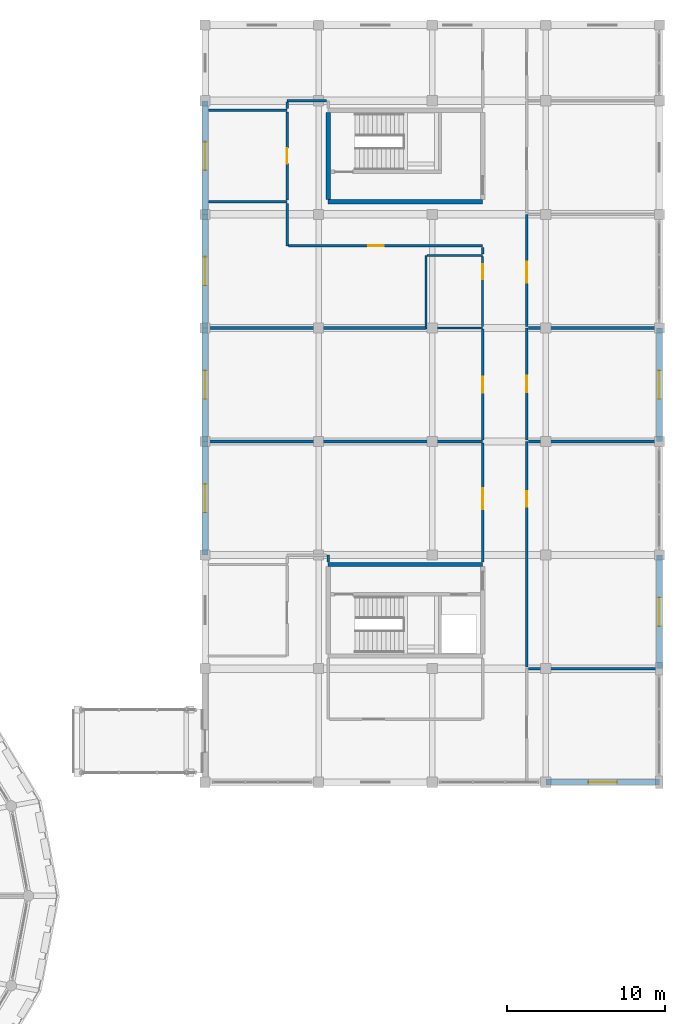
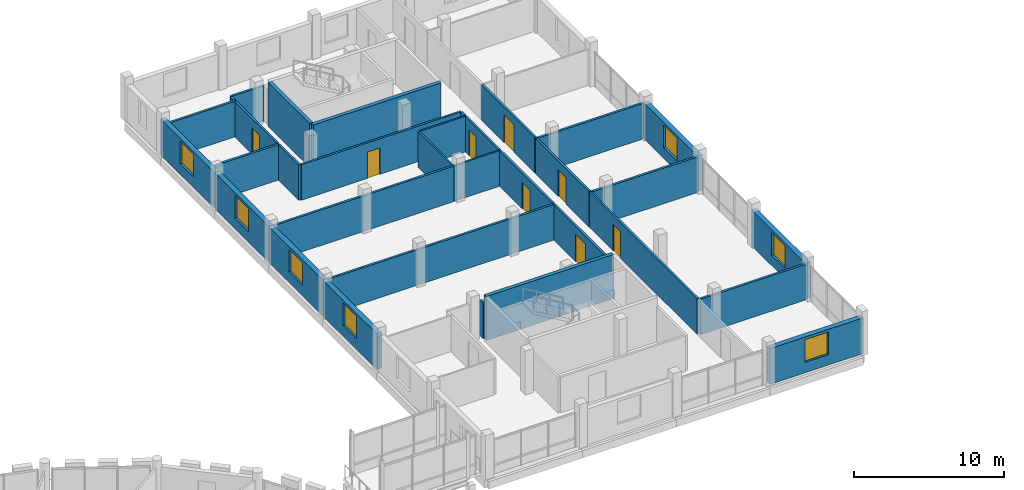
# One storey, part 118 of 128: 33 walls, 8 doors, 7 windows, 15 openings.
"""IFC4 building model written with IfcOpenShell, lengths in metres."""

from ifc_helpers import new_model, si_unit, direction, frame, frame_2d, origin, place, context, subcontext, project, spatial, rectangle, extrude, material, layer, layer_set, type_object, element, fill, save


model = new_model("IFC4")

# Units and contexts
model_context = context("Model", 3, precision=1e-05, world=origin(), true_north=direction((0.0, 1.0)))
body_context = subcontext(model_context, "Body", "Model", "MODEL_VIEW")
ifc_project = project(units=[si_unit("LENGTHUNIT", "METRE"), si_unit("AREAUNIT", "SQUARE_METRE"), si_unit("VOLUMEUNIT", "CUBIC_METRE"), si_unit("PLANEANGLEUNIT", "RADIAN"), si_unit("MASSUNIT", "GRAM", prefix="KILO")], contexts=[model_context])

# Site, building, storey
site_placement = place(None, origin())
site = spatial("IfcSite", under=ifc_project, at=site_placement, CompositionType="ELEMENT")
building_placement = place(site_placement, origin())
building = spatial("IfcBuilding", under=site, at=building_placement, Name="Zornivar Specialist Clinic", CompositionType="ELEMENT")
storey_placement = place(building_placement, frame((0.0, 0.0, 4.5)))
storey = spatial("IfcBuildingStorey", under=building, at=storey_placement, Name="L01", CompositionType="ELEMENT", Elevation=4.5)

# Wall, opening, window
ifc_material_1 = material(Name="Masonry Vratsa Limestone and Brick Banded Wall", Category="masonry")
ifc_layer_1 = layer(ifc_material_1, 0.3798828125)
ifc_layer_set_1 = layer_set([ifc_layer_1], Name="Masonry Vratsa Limestone and Brick Banded Wall")
wall_type_1 = type_object("IfcWallType", Name="EW-LIMESTONE-380", PredefinedType="SOLIDWALL", material=ifc_layer_set_1)
wall_1_placement = place(storey_placement, frame((158.39990234375, 64.800048828125, 0.0), z_axis=(0.0, 0.0, 1.0), x_axis=(1.0, 0.0, 0.0)))
wall_1 = element("IfcWall", 1, at=wall_1_placement, inside=storey, type_object=wall_type_1, Name="ew:V6:L01:03", PredefinedType="SOLIDWALL", context=body_context, shape_type="SweptSolid", body=[
    extrude(rectangle(XDim=7.2001953125, YDim=0.3798828125, at=frame_2d((3.60009765625, 0.0))), origin(), (0.0, 0.0, 1.0), 2.909912109375),
])
opening_1_placement = place(wall_1_placement, frame((2.699951171875, 0.0, 0.85009765625)))
opening_1 = element("IfcOpeningElement", 2, at=opening_1_placement, cuts=wall_1, Name="Opening W-20", PredefinedType="OPENING", context=body_context, shape_type="SweptSolid", body=[
    extrude(rectangle(XDim=1.800048828125, YDim=1.85009765625, at=frame_2d((0.89990234375, 0.925048828125))), frame((0.0, 0.199951171875, 0.0), z_axis=(0.0, -1.0, 0.0), x_axis=(1.0, 0.0, 0.0)), (0.0, 0.0, 1.0), 0.39990234375),
])
ifc_material_2 = material(Name="Triple-Glazed Aluminium-Timber Window Glass", Category="wood")
window_type = type_object("IfcWindowType", Name="WIN-LAB-LOWER-1800x1850", PartitioningType="SINGLE_PANEL", PredefinedType="WINDOW", material=ifc_material_2)
window_1_placement = place(opening_1_placement, origin())
window_1 = element("IfcWindow", 3, at=window_1_placement, inside=storey, type_object=window_type, Name="win:V6:L01:03", OverallHeight=1.85009765625, OverallWidth=1.800048828125, PartitioningType="SINGLE_PANEL", PredefinedType="WINDOW", context=body_context, shape_type="SweptSolid", body=[
    extrude(rectangle(XDim=1.800048828125, YDim=1.85009765625, at=frame_2d((0.89990234375, 0.925048828125))), frame((0.0, 0.030029296875, 0.0), z_axis=(0.0, -1.0, 0.0), x_axis=(1.0, 0.0, 0.0)), (0.0, 0.0, 1.0), 0.06005859375),
])
fill(opening_1, window_1)

wall_2_placement = place(storey_placement, frame((165.60009765625, 72.0, 0.0), z_axis=(0.0, 0.0, 1.0), x_axis=(0.0, 1.0, 0.0)))
wall_2 = element("IfcWall", 4, at=wall_2_placement, inside=storey, type_object=wall_type_1, Name="ew:V6:L01:05", PredefinedType="SOLIDWALL", context=body_context, shape_type="SweptSolid", body=[
    extrude(rectangle(XDim=7.199951171875, YDim=0.3798828125, at=frame_2d((3.60009765625, 0.0))), origin(), (0.0, 0.0, 1.0), 2.909912109375),
])
opening_2_placement = place(wall_2_placement, frame((2.699951171875, 0.0, 0.85009765625)))
opening_2 = element("IfcOpeningElement", 5, at=opening_2_placement, cuts=wall_2, Name="Opening W-20", PredefinedType="OPENING", context=body_context, shape_type="SweptSolid", body=[
    extrude(rectangle(XDim=1.800048828125, YDim=1.85009765625, at=frame_2d((0.89990234375, 0.925048828125))), frame((0.0, 0.199951171875, 0.0), z_axis=(0.0, -1.0, 0.0), x_axis=(1.0, 0.0, 0.0)), (0.0, 0.0, 1.0), 0.39990234375),
])
window_2_placement = place(opening_2_placement, origin())
window_2 = element("IfcWindow", 6, at=window_2_placement, inside=storey, type_object=window_type, Name="win:V6:L01:05", OverallHeight=1.85009765625, OverallWidth=1.800048828125, PartitioningType="SINGLE_PANEL", PredefinedType="WINDOW", context=body_context, shape_type="SweptSolid", body=[
    extrude(rectangle(XDim=1.800048828125, YDim=1.85009765625, at=frame_2d((0.89990234375, 0.925048828125))), frame((0.0, 0.030029296875, 0.0), z_axis=(0.0, -1.0, 0.0), x_axis=(1.0, 0.0, 0.0)), (0.0, 0.0, 1.0), 0.06005859375),
])
fill(opening_2, window_2)

wall_3_placement = place(storey_placement, frame((165.60009765625, 86.39990234375, 0.0), z_axis=(0.0, 0.0, 1.0), x_axis=(0.0, 1.0, 0.0)))
wall_3 = element("IfcWall", 7, at=wall_3_placement, inside=storey, type_object=wall_type_1, Name="ew:V6:L01:07", PredefinedType="SOLIDWALL", context=body_context, shape_type="SweptSolid", body=[
    extrude(rectangle(XDim=7.2001953125, YDim=0.3798828125, at=frame_2d((3.60009765625, 0.0))), origin(), (0.0, 0.0, 1.0), 2.909912109375),
])
opening_3_placement = place(wall_3_placement, frame((2.699951171875, 0.0, 0.85009765625)))
opening_3 = element("IfcOpeningElement", 8, at=opening_3_placement, cuts=wall_3, Name="Opening W-20", PredefinedType="OPENING", context=body_context, shape_type="SweptSolid", body=[
    extrude(rectangle(XDim=1.800048828125, YDim=1.85009765625, at=frame_2d((0.89990234375, 0.925048828125))), frame((0.0, 0.199951171875, 0.0), z_axis=(0.0, -1.0, 0.0), x_axis=(1.0, 0.0, 0.0)), (0.0, 0.0, 1.0), 0.39990234375),
])
window_3_placement = place(opening_3_placement, origin())
window_3 = element("IfcWindow", 9, at=window_3_placement, inside=storey, type_object=window_type, Name="win:V6:L01:07", OverallHeight=1.85009765625, OverallWidth=1.800048828125, PartitioningType="SINGLE_PANEL", PredefinedType="WINDOW", context=body_context, shape_type="SweptSolid", body=[
    extrude(rectangle(XDim=1.800048828125, YDim=1.85009765625, at=frame_2d((0.89990234375, 0.925048828125))), frame((0.0, 0.030029296875, 0.0), z_axis=(0.0, -1.0, 0.0), x_axis=(1.0, 0.0, 0.0)), (0.0, 0.0, 1.0), 0.06005859375),
])
fill(opening_3, window_3)

wall_4_placement = place(storey_placement, frame((136.800048828125, 108.0, 0.0), z_axis=(0.0, 0.0, 1.0), x_axis=(0.0, -1.0, 0.0)))
wall_4 = element("IfcWall", 10, at=wall_4_placement, inside=storey, type_object=wall_type_1, Name="ew:V6:L01:16", PredefinedType="SOLIDWALL", context=body_context, shape_type="SweptSolid", body=[
    extrude(rectangle(XDim=7.199951171875, YDim=0.3798828125, at=frame_2d((3.60009765625, 0.0))), origin(), (0.0, 0.0, 1.0), 2.909912109375),
])
opening_4_placement = place(wall_4_placement, frame((2.60009765625, 0.0, 0.85009765625)))
opening_4 = element("IfcOpeningElement", 11, at=opening_4_placement, cuts=wall_4, Name="Opening W-20", PredefinedType="OPENING", context=body_context, shape_type="SweptSolid", body=[
    extrude(rectangle(XDim=1.800048828125, YDim=1.85009765625, at=frame_2d((0.89990234375, 0.925048828125))), frame((0.0, 0.199951171875, 0.0), z_axis=(0.0, -1.0, 0.0), x_axis=(1.0, 0.0, 0.0)), (0.0, 0.0, 1.0), 0.39990234375),
])
window_4_placement = place(opening_4_placement, origin())
window_4 = element("IfcWindow", 12, at=window_4_placement, inside=storey, type_object=window_type, Name="win:V6:L01:16", OverallHeight=1.85009765625, OverallWidth=1.800048828125, PartitioningType="SINGLE_PANEL", PredefinedType="WINDOW", context=body_context, shape_type="SweptSolid", body=[
    extrude(rectangle(XDim=1.800048828125, YDim=1.85009765625, at=frame_2d((0.89990234375, 0.925048828125))), frame((0.0, 0.030029296875, 0.0), z_axis=(0.0, -1.0, 0.0), x_axis=(1.0, 0.0, 0.0)), (0.0, 0.0, 1.0), 0.06005859375),
])
fill(opening_4, window_4)

wall_5_placement = place(storey_placement, frame((136.800048828125, 100.800048828125, 0.0), z_axis=(0.0, 0.0, 1.0), x_axis=(0.0, -1.0, 0.0)))
wall_5 = element("IfcWall", 13, at=wall_5_placement, inside=storey, type_object=wall_type_1, Name="ew:V6:L01:17", PredefinedType="SOLIDWALL", context=body_context, shape_type="SweptSolid", body=[
    extrude(rectangle(XDim=7.199951171875, YDim=0.3798828125, at=frame_2d((3.60009765625, 0.0))), origin(), (0.0, 0.0, 1.0), 2.909912109375),
])
opening_5_placement = place(wall_5_placement, frame((2.699951171875, 0.0, 0.85009765625)))
opening_5 = element("IfcOpeningElement", 14, at=opening_5_placement, cuts=wall_5, Name="Opening W-20", PredefinedType="OPENING", context=body_context, shape_type="SweptSolid", body=[
    extrude(rectangle(XDim=1.800048828125, YDim=1.85009765625, at=frame_2d((0.89990234375, 0.925048828125))), frame((0.0, 0.199951171875, 0.0), z_axis=(0.0, -1.0, 0.0), x_axis=(1.0, 0.0, 0.0)), (0.0, 0.0, 1.0), 0.39990234375),
])
window_5_placement = place(opening_5_placement, origin())
window_5 = element("IfcWindow", 15, at=window_5_placement, inside=storey, type_object=window_type, Name="win:V6:L01:17", OverallHeight=1.85009765625, OverallWidth=1.800048828125, PartitioningType="SINGLE_PANEL", PredefinedType="WINDOW", context=body_context, shape_type="SweptSolid", body=[
    extrude(rectangle(XDim=1.800048828125, YDim=1.85009765625, at=frame_2d((0.89990234375, 0.925048828125))), frame((0.0, 0.030029296875, 0.0), z_axis=(0.0, -1.0, 0.0), x_axis=(1.0, 0.0, 0.0)), (0.0, 0.0, 1.0), 0.06005859375),
])
fill(opening_5, window_5)

wall_6_placement = place(storey_placement, frame((136.800048828125, 93.60009765625, 0.0), z_axis=(0.0, 0.0, 1.0), x_axis=(0.0, -1.0, 0.0)))
wall_6 = element("IfcWall", 16, at=wall_6_placement, inside=storey, type_object=wall_type_1, Name="ew:V6:L01:18", PredefinedType="SOLIDWALL", context=body_context, shape_type="SweptSolid", body=[
    extrude(rectangle(XDim=7.2001953125, YDim=0.3798828125, at=frame_2d((3.60009765625, 0.0))), origin(), (0.0, 0.0, 1.0), 2.909912109375),
])
opening_6_placement = place(wall_6_placement, frame((2.699951171875, 0.0, 0.85009765625)))
opening_6 = element("IfcOpeningElement", 17, at=opening_6_placement, cuts=wall_6, Name="Opening W-20", PredefinedType="OPENING", context=body_context, shape_type="SweptSolid", body=[
    extrude(rectangle(XDim=1.800048828125, YDim=1.85009765625, at=frame_2d((0.89990234375, 0.925048828125))), frame((0.0, 0.199951171875, 0.0), z_axis=(0.0, -1.0, 0.0), x_axis=(1.0, 0.0, 0.0)), (0.0, 0.0, 1.0), 0.39990234375),
])
window_6_placement = place(opening_6_placement, origin())
window_6 = element("IfcWindow", 18, at=window_6_placement, inside=storey, type_object=window_type, Name="win:V6:L01:18", OverallHeight=1.85009765625, OverallWidth=1.800048828125, PartitioningType="SINGLE_PANEL", PredefinedType="WINDOW", context=body_context, shape_type="SweptSolid", body=[
    extrude(rectangle(XDim=1.800048828125, YDim=1.85009765625, at=frame_2d((0.89990234375, 0.925048828125))), frame((0.0, 0.030029296875, 0.0), z_axis=(0.0, -1.0, 0.0), x_axis=(1.0, 0.0, 0.0)), (0.0, 0.0, 1.0), 0.06005859375),
])
fill(opening_6, window_6)

wall_7_placement = place(storey_placement, frame((136.800048828125, 86.39990234375, 0.0), z_axis=(0.0, 0.0, 1.0), x_axis=(0.0, -1.0, 0.0)))
wall_7 = element("IfcWall", 19, at=wall_7_placement, inside=storey, type_object=wall_type_1, Name="ew:V6:L01:19", PredefinedType="SOLIDWALL", context=body_context, shape_type="SweptSolid", body=[
    extrude(rectangle(XDim=7.199951171875, YDim=0.3798828125, at=frame_2d((3.60009765625, 0.0))), origin(), (0.0, 0.0, 1.0), 2.909912109375),
])
opening_7_placement = place(wall_7_placement, frame((2.699951171875, 0.0, 0.85009765625)))
opening_7 = element("IfcOpeningElement", 20, at=opening_7_placement, cuts=wall_7, Name="Opening W-20", PredefinedType="OPENING", context=body_context, shape_type="SweptSolid", body=[
    extrude(rectangle(XDim=1.800048828125, YDim=1.85009765625, at=frame_2d((0.89990234375, 0.925048828125))), frame((0.0, 0.199951171875, 0.0), z_axis=(0.0, -1.0, 0.0), x_axis=(1.0, 0.0, 0.0)), (0.0, 0.0, 1.0), 0.39990234375),
])
window_7_placement = place(opening_7_placement, origin())
window_7 = element("IfcWindow", 21, at=window_7_placement, inside=storey, type_object=window_type, Name="win:V6:L01:19", OverallHeight=1.85009765625, OverallWidth=1.800048828125, PartitioningType="SINGLE_PANEL", PredefinedType="WINDOW", context=body_context, shape_type="SweptSolid", body=[
    extrude(rectangle(XDim=1.800048828125, YDim=1.85009765625, at=frame_2d((0.89990234375, 0.925048828125))), frame((0.0, 0.030029296875, 0.0), z_axis=(0.0, -1.0, 0.0), x_axis=(1.0, 0.0, 0.0)), (0.0, 0.0, 1.0), 0.06005859375),
])
fill(opening_7, window_7)

# Wall
ifc_material_3 = material(Name="Gypsum Fire-Rated Double Stud Partition")
ifc_layer_2 = layer(ifc_material_3, 0.159912109375)
ifc_layer_set_2 = layer_set([ifc_layer_2], Name="Gypsum Fire-Rated Double Stud Partition")
wall_type_2 = type_object("IfcWallType", Name="IW-CORR-EI60-160", PredefinedType="PARTITIONING", material=ifc_layer_set_2)
wall_8_placement = place(storey_placement, frame((144.60009765625, 78.7548828125, 0.0), z_axis=(0.0, 0.0, 1.0), x_axis=(0.0, 1.0, 0.0)))
element("IfcWall", 22, at=wall_8_placement, inside=storey, type_object=wall_type_2, Name="iw:L01:162", PredefinedType="PARTITIONING", context=body_context, shape_type="SweptSolid", body=[
    extrude(rectangle(XDim=0.445068359375, YDim=0.159912109375, at=frame_2d((0.22265625, 0.0))), origin(), (0.0, 0.0, 1.0), 2.889892578125),
])

# Wall, opening, door
wall_9_placement = place(storey_placement, frame((154.39990234375, 86.301025390625, 0.0), z_axis=(0.0, 0.0, 1.0), x_axis=(0.0, -1.0, 0.0)))
wall_9 = element("IfcWall", 23, at=wall_9_placement, inside=storey, type_object=wall_type_2, Name="iw:L01:166", PredefinedType="PARTITIONING", context=body_context, shape_type="SweptSolid", body=[
    extrude(rectangle(XDim=7.546142578125, YDim=0.159912109375, at=frame_2d((3.77294921875, 0.0))), origin(), (0.0, 0.0, 1.0), 2.889892578125),
])
opening_8_placement = place(wall_9_placement, frame((2.860107421875, 0.0, 0.0)))
opening_8 = element("IfcOpeningElement", 24, at=opening_8_placement, cuts=wall_9, Name="Opening ID-10", PredefinedType="OPENING", context=body_context, shape_type="SweptSolid", body=[
    extrude(rectangle(XDim=1.35009765625, YDim=2.25, at=frame_2d((0.675048828125, 1.125))), frame((0.0, 0.08984375, 0.0), z_axis=(0.0, -1.0, 0.0), x_axis=(1.0, 0.0, 0.0)), (0.0, 0.0, 1.0), 0.179931640625),
])
ifc_material_4 = material(Name="Solid-Core Hygienic Laminate Timber Door", Category="wood")
door_type_1 = type_object("IfcDoorType", Name="ID-TEACH-1350x2250", OperationType="NOTDEFINED", PredefinedType="DOOR", material=ifc_material_4)
door_1_placement = place(opening_8_placement, origin())
door_1 = element("IfcDoor", 25, at=door_1_placement, inside=storey, type_object=door_type_1, Name="door:space:V6:L01:rm:02", OperationType="SINGLE_SWING_LEFT", OverallHeight=2.25, OverallWidth=1.35009765625, PredefinedType="DOOR", context=body_context, shape_type="SweptSolid", body=[
    extrude(rectangle(XDim=1.35009765625, YDim=2.25, at=frame_2d((0.675048828125, 1.125))), frame((0.0, 0.02490234375, 0.0), z_axis=(0.0, -1.0, 0.0), x_axis=(1.0, 0.0, 0.0)), (0.0, 0.0, 1.0), 0.050048828125),
])
fill(opening_8, door_1)

wall_10_placement = place(storey_placement, frame((154.39990234375, 93.52099609375, 0.0), z_axis=(0.0, 0.0, 1.0), x_axis=(0.0, -1.0, 0.0)))
wall_10 = element("IfcWall", 26, at=wall_10_placement, inside=storey, type_object=wall_type_2, Name="iw:L01:169", PredefinedType="PARTITIONING", context=body_context, shape_type="SweptSolid", body=[
    extrude(rectangle(XDim=7.02197265625, YDim=0.159912109375, at=frame_2d((3.510986328125, 0.0))), origin(), (0.0, 0.0, 1.0), 2.889892578125),
])
opening_9_placement = place(wall_10_placement, frame((3.0009765625, 0.0, 0.0)))
opening_9 = element("IfcOpeningElement", 27, at=opening_9_placement, cuts=wall_10, Name="Opening ID-14", PredefinedType="OPENING", context=body_context, shape_type="SweptSolid", body=[
    extrude(rectangle(XDim=1.02001953125, YDim=2.14990234375, at=frame_2d((0.510009765625, 1.074951171875))), frame((0.0, 0.08984375, 0.0), z_axis=(0.0, -1.0, 0.0), x_axis=(1.0, 0.0, 0.0)), (0.0, 0.0, 1.0), 0.179931640625),
])
ifc_material_5 = material(Name="Solid-Core Hygienic Laminate Timber Door", Category="wood")
door_type_2 = type_object("IfcDoorType", Name="ID-OFFICE-1020x2150", OperationType="NOTDEFINED", PredefinedType="DOOR", material=ifc_material_5)
door_2_placement = place(opening_9_placement, origin())
door_2 = element("IfcDoor", 28, at=door_2_placement, inside=storey, type_object=door_type_2, Name="door:space:V6:L01:rm:03", OperationType="SINGLE_SWING_RIGHT", OverallHeight=2.14990234375, OverallWidth=1.02001953125, PredefinedType="DOOR", context=body_context, shape_type="SweptSolid", body=[
    extrude(rectangle(XDim=1.02001953125, YDim=2.14990234375, at=frame_2d((0.510009765625, 1.074951171875))), frame((0.0, 0.02490234375, 0.0), z_axis=(0.0, -1.0, 0.0), x_axis=(1.0, 0.0, 0.0)), (0.0, 0.0, 1.0), 0.050048828125),
])
fill(opening_9, door_2)

# Wall
wall_11_placement = place(storey_placement, frame((142.0, 101.5009765625, 0.0), z_axis=(0.0, 0.0, 1.0), x_axis=(0.0, -1.0, 0.0)))
element("IfcWall", 29, at=wall_11_placement, inside=storey, type_object=wall_type_2, Name="iw:L01:174", PredefinedType="PARTITIONING", context=body_context, shape_type="SweptSolid", body=[
    extrude(rectangle(XDim=2.700927734375, YDim=0.159912109375, at=frame_2d((1.3505859375, 0.0))), origin(), (0.0, 0.0, 1.0), 2.889892578125),
])

# Wall, opening, door
wall_12_placement = place(storey_placement, frame((142.093994140625, 98.800048828125, 0.0), z_axis=(0.0, 0.0, 1.0), x_axis=(1.0, 0.0, 0.0)))
wall_12 = element("IfcWall", 30, at=wall_12_placement, inside=storey, type_object=wall_type_2, Name="iw:L01:175", PredefinedType="PARTITIONING", context=body_context, shape_type="SweptSolid", body=[
    extrude(rectangle(XDim=12.305908203125, YDim=0.159912109375, at=frame_2d((6.15283203125, 0.0))), origin(), (0.0, 0.0, 1.0), 2.889892578125),
])
opening_10_placement = place(wall_12_placement, frame((5.06005859375, 0.0, 0.0)))
opening_10 = element("IfcOpeningElement", 31, at=opening_10_placement, cuts=wall_12, Name="Opening ID-09", PredefinedType="OPENING", context=body_context, shape_type="SweptSolid", body=[
    extrude(rectangle(XDim=0.97998046875, YDim=2.14990234375, at=frame_2d((0.489990234375, 1.074951171875))), frame((0.0, 0.08984375, 0.0), z_axis=(0.0, -1.0, 0.0), x_axis=(1.0, 0.0, 0.0)), (0.0, 0.0, 1.0), 0.179931640625),
])
ifc_material_6 = material(Name="Solid-Core Hygienic Laminate Timber Door", Category="wood")
door_type_3 = type_object("IfcDoorType", Name="ID-STAFF-0980x2150", OperationType="NOTDEFINED", PredefinedType="DOOR", material=ifc_material_6)
door_3_placement = place(opening_10_placement, origin())
door_3 = element("IfcDoor", 32, at=door_3_placement, inside=storey, type_object=door_type_3, Name="door:space:V6:L01:rm:04b", OperationType="SINGLE_SWING_RIGHT", OverallHeight=2.14990234375, OverallWidth=0.97998046875, PredefinedType="DOOR", context=body_context, shape_type="SweptSolid", body=[
    extrude(rectangle(XDim=0.97998046875, YDim=2.14990234375, at=frame_2d((0.489990234375, 1.074951171875))), frame((0.0, 0.02490234375, 0.0), z_axis=(0.0, -1.0, 0.0), x_axis=(1.0, 0.0, 0.0)), (0.0, 0.0, 1.0), 0.050048828125),
])
fill(opening_10, door_3)

# Wall
wall_13_placement = place(storey_placement, frame((154.39990234375, 98.7060546875, 0.0), z_axis=(0.0, 0.0, 1.0), x_axis=(0.0, -1.0, 0.0)))
element("IfcWall", 33, at=wall_13_placement, inside=storey, type_object=wall_type_2, Name="iw:L01:176", PredefinedType="PARTITIONING", context=body_context, shape_type="SweptSolid", body=[
    extrude(rectangle(XDim=0.427001953125, YDim=0.159912109375, at=frame_2d((0.21337890625, 0.0))), origin(), (0.0, 0.0, 1.0), 2.889892578125),
])

# Wall, opening, door
wall_14_placement = place(storey_placement, frame((142.0, 107.301025390625, 0.0), z_axis=(0.0, 0.0, 1.0), x_axis=(0.0, -1.0, 0.0)))
wall_14 = element("IfcWall", 34, at=wall_14_placement, inside=storey, type_object=wall_type_2, Name="iw:L01:178", PredefinedType="PARTITIONING", context=body_context, shape_type="SweptSolid", body=[
    extrude(rectangle(XDim=5.60205078125, YDim=0.159912109375, at=frame_2d((2.801025390625, 0.0))), origin(), (0.0, 0.0, 1.0), 2.889892578125),
])
opening_11_placement = place(wall_14_placement, frame((2.31103515625, 0.0, 0.0)))
opening_11 = element("IfcOpeningElement", 35, at=opening_11_placement, cuts=wall_14, Name="Opening ID-09", PredefinedType="OPENING", context=body_context, shape_type="SweptSolid", body=[
    extrude(rectangle(XDim=0.97998046875, YDim=2.14990234375, at=frame_2d((0.489990234375, 1.074951171875))), frame((0.0, 0.08984375, 0.0), z_axis=(0.0, -1.0, 0.0), x_axis=(1.0, 0.0, 0.0)), (0.0, 0.0, 1.0), 0.179931640625),
])
door_4_placement = place(opening_11_placement, origin())
door_4 = element("IfcDoor", 36, at=door_4_placement, inside=storey, type_object=door_type_3, Name="door:space:V6:L01:rm:06", OperationType="SINGLE_SWING_LEFT", OverallHeight=2.14990234375, OverallWidth=0.97998046875, PredefinedType="DOOR", context=body_context, shape_type="SweptSolid", body=[
    extrude(rectangle(XDim=0.97998046875, YDim=2.14990234375, at=frame_2d((0.489990234375, 1.074951171875))), frame((0.0, 0.02490234375, 0.0), z_axis=(0.0, -1.0, 0.0), x_axis=(1.0, 0.0, 0.0)), (0.0, 0.0, 1.0), 0.050048828125),
])
fill(opening_11, door_4)

# Walls
wall_15_placement = place(storey_placement, frame((144.506103515625, 108.0, 0.0), z_axis=(0.0, 0.0, 1.0), x_axis=(-1.0, 0.0, 0.0)))
element("IfcWall", 37, at=wall_15_placement, inside=storey, type_object=wall_type_2, Name="iw:L01:180", PredefinedType="PARTITIONING", context=body_context, shape_type="SweptSolid", body=[
    extrude(rectangle(XDim=2.506103515625, YDim=0.159912109375, at=frame_2d((1.2529296875, 0.0))), origin(), (0.0, 0.0, 1.0), 2.889892578125),
])
wall_16_placement = place(storey_placement, frame((142.0, 107.906005859375, 0.0), z_axis=(0.0, 0.0, 1.0), x_axis=(0.0, -1.0, 0.0)))
element("IfcWall", 38, at=wall_16_placement, inside=storey, type_object=wall_type_2, Name="iw:L01:181", PredefinedType="PARTITIONING", context=body_context, shape_type="SweptSolid", body=[
    extrude(rectangle(XDim=0.406982421875, YDim=0.159912109375, at=frame_2d((0.20361328125, 0.0))), origin(), (0.0, 0.0, 1.0), 2.889892578125),
])

# Wall, opening, door
wall_17_placement = place(storey_placement, frame((157.199951171875, 72.09912109375, 0.0), z_axis=(0.0, 0.0, 1.0), x_axis=(0.0, 1.0, 0.0)))
wall_17 = element("IfcWall", 39, at=wall_17_placement, inside=storey, type_object=wall_type_2, Name="iw:L01:185", PredefinedType="PARTITIONING", context=body_context, shape_type="SweptSolid", body=[
    extrude(rectangle(XDim=14.30078125, YDim=0.159912109375, at=frame_2d((7.150390625, 0.0))), origin(), (0.0, 0.0, 1.0), 2.889892578125),
])
opening_12_placement = place(wall_17_placement, frame((10.175048828125, 0.0, 0.0)))
opening_12 = element("IfcOpeningElement", 40, at=opening_12_placement, cuts=wall_17, Name="Opening ID-09", PredefinedType="OPENING", context=body_context, shape_type="SweptSolid", body=[
    extrude(rectangle(XDim=0.97998046875, YDim=2.14990234375, at=frame_2d((0.489990234375, 1.074951171875))), frame((0.0, 0.08984375, 0.0), z_axis=(0.0, -1.0, 0.0), x_axis=(1.0, 0.0, 0.0)), (0.0, 0.0, 1.0), 0.179931640625),
])
door_5_placement = place(opening_12_placement, origin())
door_5 = element("IfcDoor", 41, at=door_5_placement, inside=storey, type_object=door_type_3, Name="door:space:V6:L01:rm:09", OperationType="SINGLE_SWING_RIGHT", OverallHeight=2.14990234375, OverallWidth=0.97998046875, PredefinedType="DOOR", context=body_context, shape_type="SweptSolid", body=[
    extrude(rectangle(XDim=0.97998046875, YDim=2.14990234375, at=frame_2d((0.489990234375, 1.074951171875))), frame((0.0, 0.02490234375, 0.0), z_axis=(0.0, -1.0, 0.0), x_axis=(1.0, 0.0, 0.0)), (0.0, 0.0, 1.0), 0.050048828125),
])
fill(opening_12, door_5)

wall_18_placement = place(storey_placement, frame((157.199951171875, 86.4990234375, 0.0), z_axis=(0.0, 0.0, 1.0), x_axis=(0.0, 1.0, 0.0)))
wall_18 = element("IfcWall", 42, at=wall_18_placement, inside=storey, type_object=wall_type_2, Name="iw:L01:187", PredefinedType="PARTITIONING", context=body_context, shape_type="SweptSolid", body=[
    extrude(rectangle(XDim=7.10107421875, YDim=0.159912109375, at=frame_2d((3.550537109375, 0.0))), origin(), (0.0, 0.0, 1.0), 2.889892578125),
])
opening_13_placement = place(wall_18_placement, frame((3.02490234375, 0.0, 0.0)))
opening_13 = element("IfcOpeningElement", 43, at=opening_13_placement, cuts=wall_18, Name="Opening ID-03", PredefinedType="OPENING", context=body_context, shape_type="SweptSolid", body=[
    extrude(rectangle(XDim=1.050048828125, YDim=2.14990234375, at=frame_2d((0.52490234375, 1.074951171875))), frame((0.0, 0.08984375, 0.0), z_axis=(0.0, -1.0, 0.0), x_axis=(1.0, 0.0, 0.0)), (0.0, 0.0, 1.0), 0.179931640625),
])
ifc_material_7 = material(Name="Solid-Core Hygienic Laminate Timber Door", Category="wood")
door_type_4 = type_object("IfcDoorType", Name="ID-CONS-1050x2150", OperationType="NOTDEFINED", PredefinedType="DOOR", material=ifc_material_7)
door_6_placement = place(opening_13_placement, origin())
door_6 = element("IfcDoor", 44, at=door_6_placement, inside=storey, type_object=door_type_4, Name="door:space:V6:L01:rm:10", OperationType="SINGLE_SWING_LEFT", OverallHeight=2.14990234375, OverallWidth=1.050048828125, PredefinedType="DOOR", context=body_context, shape_type="SweptSolid", body=[
    extrude(rectangle(XDim=1.050048828125, YDim=2.14990234375, at=frame_2d((0.52490234375, 1.074951171875))), frame((0.0, 0.02490234375, 0.0), z_axis=(0.0, -1.0, 0.0), x_axis=(1.0, 0.0, 0.0)), (0.0, 0.0, 1.0), 0.050048828125),
])
fill(opening_13, door_6)

wall_19_placement = place(storey_placement, frame((157.199951171875, 93.698974609375, 0.0), z_axis=(0.0, 0.0, 1.0), x_axis=(0.0, 1.0, 0.0)))
wall_19 = element("IfcWall", 45, at=wall_19_placement, inside=storey, type_object=wall_type_2, Name="iw:L01:189", PredefinedType="PARTITIONING", context=body_context, shape_type="SweptSolid", body=[
    extrude(rectangle(XDim=7.10107421875, YDim=0.159912109375, at=frame_2d((3.550537109375, 0.0))), origin(), (0.0, 0.0, 1.0), 2.889892578125),
])
opening_14_placement = place(wall_19_placement, frame((2.760986328125, 0.0, 0.0)))
opening_14 = element("IfcOpeningElement", 46, at=opening_14_placement, cuts=wall_19, Name="Opening ID-10", PredefinedType="OPENING", context=body_context, shape_type="SweptSolid", body=[
    extrude(rectangle(XDim=1.35009765625, YDim=2.25, at=frame_2d((0.675048828125, 1.125))), frame((0.0, 0.08984375, 0.0), z_axis=(0.0, -1.0, 0.0), x_axis=(1.0, 0.0, 0.0)), (0.0, 0.0, 1.0), 0.179931640625),
])
door_7_placement = place(opening_14_placement, origin())
door_7 = element("IfcDoor", 47, at=door_7_placement, inside=storey, type_object=door_type_1, Name="door:space:V6:L01:rm:11", OperationType="SINGLE_SWING_RIGHT", OverallHeight=2.25, OverallWidth=1.35009765625, PredefinedType="DOOR", context=body_context, shape_type="SweptSolid", body=[
    extrude(rectangle(XDim=1.35009765625, YDim=2.25, at=frame_2d((0.675048828125, 1.125))), frame((0.0, 0.02490234375, 0.0), z_axis=(0.0, -1.0, 0.0), x_axis=(1.0, 0.0, 0.0)), (0.0, 0.0, 1.0), 0.050048828125),
])
fill(opening_14, door_7)

# Walls
ifc_material_8 = material(Name="Laboratory Chemical-Resistant Stud Partition")
ifc_layer_3 = layer(ifc_material_8, 0.169921875)
ifc_layer_set_3 = layer_set([ifc_layer_3], Name="Laboratory Chemical-Resistant Stud Partition")
wall_type_3 = type_object("IfcWallType", Name="IW-LAB-EI60-170", PredefinedType="PARTITIONING", material=ifc_layer_set_3)
wall_20_placement = place(storey_placement, frame((137.0048828125, 86.39990234375, 0.0), z_axis=(0.0, 0.0, 1.0), x_axis=(1.0, 0.0, 0.0)))
element("IfcWall", 48, at=wall_20_placement, inside=storey, type_object=wall_type_3, Name="iw:L01:165", PredefinedType="PARTITIONING", context=body_context, shape_type="SweptSolid", body=[
    extrude(rectangle(XDim=17.39501953125, YDim=0.169921875, at=frame_2d((8.697509765625, 0.0))), origin(), (0.0, 0.0, 1.0), 2.889892578125),
])
wall_21_placement = place(storey_placement, frame((137.0048828125, 93.60009765625, 0.0), z_axis=(0.0, 0.0, 1.0), x_axis=(1.0, 0.0, 0.0)))
element("IfcWall", 49, at=wall_21_placement, inside=storey, type_object=wall_type_3, Name="iw:L01:167", PredefinedType="PARTITIONING", context=body_context, shape_type="SweptSolid", body=[
    extrude(rectangle(XDim=13.795166015625, YDim=0.169921875, at=frame_2d((6.8974609375, 0.0))), origin(), (0.0, 0.0, 1.0), 2.889892578125),
])
for number, where, z_axis, x_axis, name in (
    (50, (137.0048828125, 101.60009765625, 0.0), (0.0, 0.0, 1.0), (1.0, 0.0, 0.0), "iw:L01:173"),
    (51, (137.0048828125, 107.39990234375, 0.0), (0.0, 0.0, 1.0), (1.0, 0.0, 0.0), "iw:L01:177"),
):
    element("IfcWall", number, at=place(storey_placement, frame(where, z_axis=z_axis, x_axis=x_axis)), inside=storey, type_object=wall_type_3, Name=name, PredefinedType="PARTITIONING", context=body_context, shape_type="SweptSolid", body=[
        extrude(rectangle(XDim=4.9951171875, YDim=0.169921875, at=frame_2d((2.49755859375, 0.0))), origin(), (0.0, 0.0, 1.0), 2.889892578125),
    ])
for number, where, z_axis, x_axis, name in (
    (52, (157.2939453125, 72.0, 0.0), (0.0, 0.0, 1.0), (1.0, 0.0, 0.0), "iw:L01:184"),
    (53, (157.2939453125, 86.39990234375, 0.0), (0.0, 0.0, 1.0), (1.0, 0.0, 0.0), "iw:L01:186"),
    (54, (157.2939453125, 93.60009765625, 0.0), (0.0, 0.0, 1.0), (1.0, 0.0, 0.0), "iw:L01:188"),
):
    element("IfcWall", number, at=place(storey_placement, frame(where, z_axis=z_axis, x_axis=x_axis)), inside=storey, type_object=wall_type_3, Name=name, PredefinedType="PARTITIONING", context=body_context, shape_type="SweptSolid", body=[
        extrude(rectangle(XDim=8.10107421875, YDim=0.169921875, at=frame_2d((4.050537109375, 0.0))), origin(), (0.0, 0.0, 1.0), 2.889892578125),
    ])
ifc_material_9 = material(Name="Moisture-Resistant Sanitary Partition")
ifc_layer_4 = layer(ifc_material_9, 0.1298828125)
ifc_layer_set_4 = layer_set([ifc_layer_4], Name="Moisture-Resistant Sanitary Partition")
wall_type_4 = type_object("IfcWallType", Name="IW-WET-130", PredefinedType="PARTITIONING", material=ifc_layer_set_4)
wall_22_placement = place(storey_placement, frame((150.81201171875, 93.60009765625, 0.0), z_axis=(0.0, 0.0, 1.0), x_axis=(1.0, 0.0, 0.0)))
element("IfcWall", 55, at=wall_22_placement, inside=storey, type_object=wall_type_4, Name="iw:L01:168", PredefinedType="PARTITIONING", context=body_context, shape_type="SweptSolid", body=[
    extrude(rectangle(XDim=3.587890625, YDim=0.1298828125, at=frame_2d((1.7939453125, 0.0))), origin(), (0.0, 0.0, 1.0), 2.889892578125),
])
wall_23_placement = place(storey_placement, frame((150.800048828125, 93.698974609375, 0.0), z_axis=(0.0, 0.0, 1.0), x_axis=(0.0, 1.0, 0.0)))
element("IfcWall", 56, at=wall_23_placement, inside=storey, type_object=wall_type_4, Name="iw:L01:170", PredefinedType="PARTITIONING", context=body_context, shape_type="SweptSolid", body=[
    extrude(rectangle(XDim=4.5009765625, YDim=0.1298828125, at=frame_2d((2.25048828125, 0.0))), origin(), (0.0, 0.0, 1.0), 2.889892578125),
])
wall_24_placement = place(storey_placement, frame((150.87890625, 98.199951171875, 0.0), z_axis=(0.0, 0.0, 1.0), x_axis=(1.0, 0.0, 0.0)))
element("IfcWall", 57, at=wall_24_placement, inside=storey, type_object=wall_type_4, Name="iw:L01:171", PredefinedType="PARTITIONING", context=body_context, shape_type="SweptSolid", body=[
    extrude(rectangle(XDim=3.52099609375, YDim=0.1298828125, at=frame_2d((1.760498046875, 0.0))), origin(), (0.0, 0.0, 1.0), 2.889892578125),
])

# Wall, opening, door
wall_25_placement = place(storey_placement, frame((154.39990234375, 98.12109375, 0.0), z_axis=(0.0, 0.0, 1.0), x_axis=(0.0, -1.0, 0.0)))
wall_25 = element("IfcWall", 58, at=wall_25_placement, inside=storey, type_object=wall_type_4, Name="iw:L01:172", PredefinedType="PARTITIONING", context=body_context, shape_type="SweptSolid", body=[
    extrude(rectangle(XDim=4.442138671875, YDim=0.1298828125, at=frame_2d((2.22119140625, 0.0))), origin(), (0.0, 0.0, 1.0), 2.889892578125),
])
opening_15_placement = place(wall_25_placement, frame((0.47998046875, 0.0, 0.0)))
opening_15 = element("IfcOpeningElement", 59, at=opening_15_placement, cuts=wall_25, Name="Opening ID-07", PredefinedType="OPENING", context=body_context, shape_type="SweptSolid", body=[
    extrude(rectangle(XDim=0.949951171875, YDim=2.10009765625, at=frame_2d((0.47509765625, 1.050048828125))), frame((0.0, 0.074951171875, 0.0), z_axis=(0.0, -1.0, 0.0), x_axis=(1.0, 0.0, 0.0)), (0.0, 0.0, 1.0), 0.14990234375),
])
ifc_material_10 = material(Name="Solid-Core Hygienic Laminate Timber Door", Category="wood")
door_type_5 = type_object("IfcDoorType", Name="ID-WC-ACC-0950x2100", OperationType="NOTDEFINED", PredefinedType="DOOR", material=ifc_material_10)
door_8_placement = place(opening_15_placement, origin())
door_8 = element("IfcDoor", 60, at=door_8_placement, inside=storey, type_object=door_type_5, Name="door:space:V6:L01:rm:04", OperationType="SINGLE_SWING_LEFT", OverallHeight=2.10009765625, OverallWidth=0.949951171875, PredefinedType="DOOR", context=body_context, shape_type="SweptSolid", body=[
    extrude(rectangle(XDim=0.949951171875, YDim=2.10009765625, at=frame_2d((0.47509765625, 1.050048828125))), frame((0.0, 0.02490234375, 0.0), z_axis=(0.0, -1.0, 0.0), x_axis=(1.0, 0.0, 0.0)), (0.0, 0.0, 1.0), 0.050048828125),
])
fill(opening_15, door_8)

# Walls
ifc_material_11 = material(Name="Concrete C35/45", Category="concrete")
ifc_layer_5 = layer(ifc_material_11, 0.280029296875)
ifc_layer_set_5 = layer_set([ifc_layer_5], Name="Concrete C35/45")
wall_type_5 = type_object("IfcWallType", Name="SW-CORE-280", PredefinedType="SHEAR", material=ifc_layer_set_5)
for number, where, z_axis, x_axis, name in (
    (61, (154.39990234375, 78.60009765625, 0.0), (0.0, 0.0, 1.0), (-1.0, 0.0, 0.0), "sw:C9:L01:w2"),
    (62, (144.60009765625, 101.60009765625, 0.0), (0.0, 0.0, 1.0), (1.0, 0.0, 0.0), "sw:C10:L01:w0"),
):
    element("IfcWall", number, at=place(storey_placement, frame(where, z_axis=z_axis, x_axis=x_axis)), inside=storey, type_object=wall_type_5, Name=name, PredefinedType="SHEAR", context=body_context, shape_type="SweptSolid", body=[
        extrude(rectangle(XDim=9.7998046875, YDim=0.280029296875, at=frame_2d((4.89990234375, 0.0))), origin(), (0.0, 0.0, 1.0), 3.580078125),
    ])
wall_26_placement = place(storey_placement, frame((144.60009765625, 107.260009765625, 0.0), z_axis=(0.0, 0.0, 1.0), x_axis=(0.0, -1.0, 0.0)))
element("IfcWall", 63, at=wall_26_placement, inside=storey, type_object=wall_type_5, Name="sw:C10:L01:w3", PredefinedType="SHEAR", context=body_context, shape_type="SweptSolid", body=[
    extrude(rectangle(XDim=5.52001953125, YDim=0.280029296875, at=frame_2d((2.760009765625, 0.0))), origin(), (0.0, 0.0, 1.0), 3.580078125),
])

save(model, "model.ifc")
